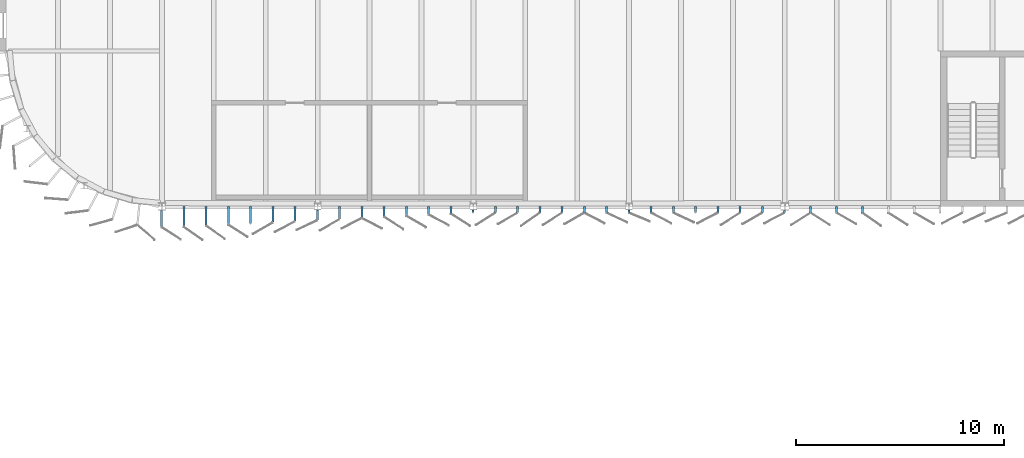
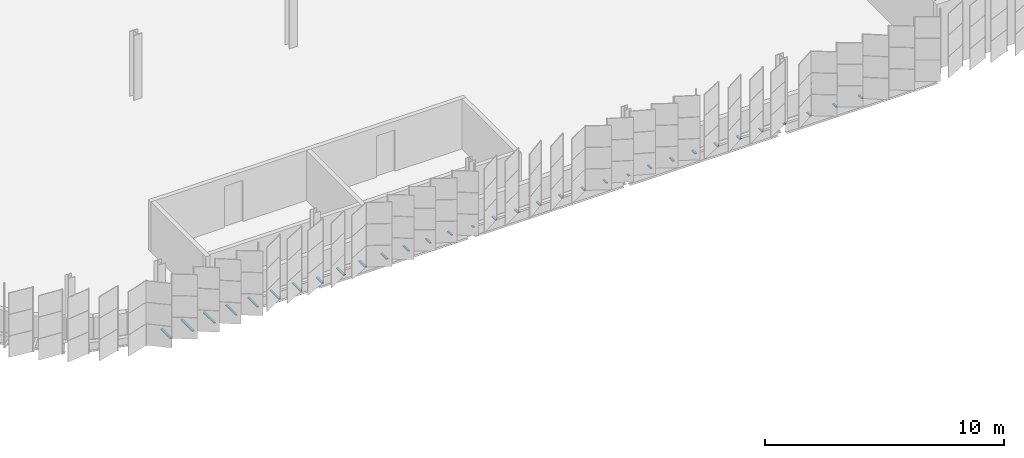
# One storey, part 178 of 214: 32 discrete accessories.
"""IFC4 building model written with IfcOpenShell, lengths in metres."""

from ifc_helpers import new_model, si_unit, direction, frame, origin, origin_2d, place, context, subcontext, project, spatial, rectangle, extrude, material, type_object, element, save


model = new_model("IFC4")

# Units and contexts
model_context = context("Model", 3, precision=1e-05, world=origin(), true_north=direction((0.0, 1.0)))
body_context = subcontext(model_context, "Body", "Model", "MODEL_VIEW")
ifc_project = project(units=[si_unit("LENGTHUNIT", "METRE"), si_unit("AREAUNIT", "SQUARE_METRE"), si_unit("VOLUMEUNIT", "CUBIC_METRE"), si_unit("PLANEANGLEUNIT", "RADIAN"), si_unit("MASSUNIT", "GRAM", prefix="KILO")], contexts=[model_context])

# Site, building, storey
site_placement = place(None, origin())
site = spatial("IfcSite", under=ifc_project, at=site_placement, CompositionType="ELEMENT")
building_placement = place(site_placement, origin())
building = spatial("IfcBuilding", under=site, at=building_placement, Name="Parallax Yard Mobility Hub", CompositionType="ELEMENT")
storey_placement = place(building_placement, frame((0.0, 0.0, 3.300048828125)))
storey = spatial("IfcBuildingStorey", under=building, at=storey_placement, Name="L01", CompositionType="ELEMENT", Elevation=3.300048828125)

# Discrete accessories
ifc_material = material(Name="Steel ASTM A36, hot-dip galvanised", Category="steel")
discrete_accessory_type = type_object("IfcDiscreteAccessoryType", Name="Hinge bracket plate 100x50", PredefinedType="BRACKET", material=ifc_material)
discrete_accessory_1_placement = place(storey_placement, frame((29.9853515625, 111.91943359375, -0.02490234375), z_axis=(0.0, 0.0, 1.0), x_axis=(0.0, -1.0, 0.0)))
element("IfcDiscreteAccessory", 1, at=discrete_accessory_1_placement, inside=storey, type_object=discrete_accessory_type, Name="Hinge bracket plate bay 1.1 level L01", PredefinedType="BRACKET", context=body_context, shape_type="SweptSolid", body=[
    extrude(rectangle(XDim=0.80615234375, YDim=0.10009765625, at=origin_2d()), origin(), (0.0, 0.0, 1.0), 0.050048828125),
])
discrete_accessory_2_placement = place(storey_placement, frame((31.056884765625, 112.0166015625, -0.02490234375), z_axis=(0.0, 0.0, 1.0), x_axis=(0.0, -1.0, 0.0)))
element("IfcDiscreteAccessory", 2, at=discrete_accessory_2_placement, inside=storey, type_object=discrete_accessory_type, Name="Hinge bracket plate bay 1.2 level L01", PredefinedType="BRACKET", context=body_context, shape_type="SweptSolid", body=[
    extrude(rectangle(XDim=0.968017578125, YDim=0.10009765625, at=origin_2d()), origin(), (0.0, 0.0, 1.0), 0.050048828125),
])
discrete_accessory_3_placement = place(storey_placement, frame((32.12841796875, 112.043212890625, -0.02490234375), z_axis=(0.0, 0.0, 1.0), x_axis=(0.0, -1.0, 0.0)))
element("IfcDiscreteAccessory", 3, at=discrete_accessory_3_placement, inside=storey, type_object=discrete_accessory_type, Name="Hinge bracket plate bay 1.3 level L01", PredefinedType="BRACKET", context=body_context, shape_type="SweptSolid", body=[
    extrude(rectangle(XDim=0.91455078125, YDim=0.10009765625, at=origin_2d()), origin(), (0.0, 0.0, 1.0), 0.050048828125),
])
discrete_accessory_4_placement = place(storey_placement, frame((33.19970703125, 112.070068359375, -0.02490234375), z_axis=(0.0, 0.0, 1.0), x_axis=(0.0, -1.0, 0.0)))
element("IfcDiscreteAccessory", 4, at=discrete_accessory_4_placement, inside=storey, type_object=discrete_accessory_type, Name="Hinge bracket plate bay 1.4 level L01", PredefinedType="BRACKET", context=body_context, shape_type="SweptSolid", body=[
    extrude(rectangle(XDim=0.86083984375, YDim=0.10009765625, at=origin_2d()), origin(), (0.0, 0.0, 1.0), 0.050048828125),
])
discrete_accessory_5_placement = place(storey_placement, frame((34.271240234375, 112.0966796875, -0.02490234375), z_axis=(0.0, 0.0, 1.0), x_axis=(0.0, -1.0, 0.0)))
element("IfcDiscreteAccessory", 5, at=discrete_accessory_5_placement, inside=storey, type_object=discrete_accessory_type, Name="Hinge bracket plate bay 1.5 level L01", PredefinedType="BRACKET", context=body_context, shape_type="SweptSolid", body=[
    extrude(rectangle(XDim=0.807373046875, YDim=0.10009765625, at=origin_2d()), origin(), (0.0, 0.0, 1.0), 0.050048828125),
])
discrete_accessory_6_placement = place(storey_placement, frame((35.3427734375, 112.12353515625, -0.02490234375), z_axis=(0.0, 0.0, 1.0), x_axis=(0.0, -1.0, 0.0)))
element("IfcDiscreteAccessory", 6, at=discrete_accessory_6_placement, inside=storey, type_object=discrete_accessory_type, Name="Hinge bracket plate bay 1.6 level L01", PredefinedType="BRACKET", context=body_context, shape_type="SweptSolid", body=[
    extrude(rectangle(XDim=0.75390625, YDim=0.10009765625, at=origin_2d()), origin(), (0.0, 0.0, 1.0), 0.050048828125),
])
discrete_accessory_7_placement = place(storey_placement, frame((36.414306640625, 112.150390625, -0.02490234375), z_axis=(0.0, 0.0, 1.0), x_axis=(0.0, -1.0, 0.0)))
element("IfcDiscreteAccessory", 7, at=discrete_accessory_7_placement, inside=storey, type_object=discrete_accessory_type, Name="Hinge bracket plate bay 1.7 level L01", PredefinedType="BRACKET", context=body_context, shape_type="SweptSolid", body=[
    extrude(rectangle(XDim=0.7001953125, YDim=0.10009765625, at=origin_2d()), origin(), (0.0, 0.0, 1.0), 0.050048828125),
])
discrete_accessory_8_placement = place(storey_placement, frame((37.48583984375, 112.09912109375, -0.02490234375), z_axis=(0.0, 0.0, 1.0), x_axis=(0.0, -1.0, 0.0)))
element("IfcDiscreteAccessory", 8, at=discrete_accessory_8_placement, inside=storey, type_object=discrete_accessory_type, Name="Hinge bracket plate bay 2.1 level L01", PredefinedType="BRACKET", context=body_context, shape_type="SweptSolid", body=[
    extrude(rectangle(XDim=0.490478515625, YDim=0.10009765625, at=origin_2d()), origin(), (0.0, 0.0, 1.0), 0.050048828125),
])
discrete_accessory_9_placement = place(storey_placement, frame((38.557373046875, 112.2041015625, -0.02490234375), z_axis=(0.0, 0.0, 1.0), x_axis=(0.0, -1.0, 0.0)))
element("IfcDiscreteAccessory", 9, at=discrete_accessory_9_placement, inside=storey, type_object=discrete_accessory_type, Name="Hinge bracket plate bay 2.2 level L01", PredefinedType="BRACKET", context=body_context, shape_type="SweptSolid", body=[
    extrude(rectangle(XDim=0.593017578125, YDim=0.10009765625, at=origin_2d()), origin(), (0.0, 0.0, 1.0), 0.050048828125),
])
discrete_accessory_10_placement = place(storey_placement, frame((39.62890625, 112.230712890625, -0.02490234375), z_axis=(0.0, 0.0, 1.0), x_axis=(0.0, -1.0, 0.0)))
element("IfcDiscreteAccessory", 10, at=discrete_accessory_10_placement, inside=storey, type_object=discrete_accessory_type, Name="Hinge bracket plate bay 2.3 level L01", PredefinedType="BRACKET", context=body_context, shape_type="SweptSolid", body=[
    extrude(rectangle(XDim=0.53955078125, YDim=0.10009765625, at=origin_2d()), origin(), (0.0, 0.0, 1.0), 0.050048828125),
])
discrete_accessory_11_placement = place(storey_placement, frame((40.7001953125, 112.257568359375, -0.02490234375), z_axis=(0.0, 0.0, 1.0), x_axis=(0.0, -1.0, 0.0)))
element("IfcDiscreteAccessory", 11, at=discrete_accessory_11_placement, inside=storey, type_object=discrete_accessory_type, Name="Hinge bracket plate bay 2.4 level L01", PredefinedType="BRACKET", context=body_context, shape_type="SweptSolid", body=[
    extrude(rectangle(XDim=0.48583984375, YDim=0.10009765625, at=origin_2d()), origin(), (0.0, 0.0, 1.0), 0.050048828125),
])
discrete_accessory_12_placement = place(storey_placement, frame((41.771728515625, 112.2841796875, -0.02490234375), z_axis=(0.0, 0.0, 1.0), x_axis=(0.0, -1.0, 0.0)))
element("IfcDiscreteAccessory", 12, at=discrete_accessory_12_placement, inside=storey, type_object=discrete_accessory_type, Name="Hinge bracket plate bay 2.5 level L01", PredefinedType="BRACKET", context=body_context, shape_type="SweptSolid", body=[
    extrude(rectangle(XDim=0.432373046875, YDim=0.10009765625, at=origin_2d()), origin(), (0.0, 0.0, 1.0), 0.050048828125),
])
discrete_accessory_13_placement = place(storey_placement, frame((42.84326171875, 112.31103515625, -0.02490234375), z_axis=(0.0, 0.0, 1.0), x_axis=(0.0, -1.0, 0.0)))
element("IfcDiscreteAccessory", 13, at=discrete_accessory_13_placement, inside=storey, type_object=discrete_accessory_type, Name="Hinge bracket plate bay 2.6 level L01", PredefinedType="BRACKET", context=body_context, shape_type="SweptSolid", body=[
    extrude(rectangle(XDim=0.37890625, YDim=0.10009765625, at=origin_2d()), origin(), (0.0, 0.0, 1.0), 0.050048828125),
])
discrete_accessory_14_placement = place(storey_placement, frame((43.914794921875, 112.337890625, -0.02490234375), z_axis=(0.0, 0.0, 1.0), x_axis=(0.0, -1.0, 0.0)))
element("IfcDiscreteAccessory", 14, at=discrete_accessory_14_placement, inside=storey, type_object=discrete_accessory_type, Name="Hinge bracket plate bay 2.7 level L01", PredefinedType="BRACKET", context=body_context, shape_type="SweptSolid", body=[
    extrude(rectangle(XDim=0.3251953125, YDim=0.10009765625, at=origin_2d()), origin(), (0.0, 0.0, 1.0), 0.050048828125),
])
discrete_accessory_15_placement = place(storey_placement, frame((44.986328125, 112.280517578125, -0.02490234375), z_axis=(0.0, 0.0, 1.0), x_axis=(0.0, -1.0, 0.0)))
element("IfcDiscreteAccessory", 15, at=discrete_accessory_15_placement, inside=storey, type_object=discrete_accessory_type, Name="Hinge bracket plate bay 3.1 level L01", PredefinedType="BRACKET", context=body_context, shape_type="SweptSolid", body=[
    extrude(rectangle(XDim=0.128173828125, YDim=0.10009765625, at=origin_2d()), origin(), (0.0, 0.0, 1.0), 0.050048828125),
])
for number, where, z_axis, x_axis, name in (
    (16, (46.057861328125, 112.3583984375, -0.02490234375), (0.0, 0.0, 1.0), (0.0, -1.0, 0.0), "Hinge bracket plate bay 3.2 level L01"),
    (17, (47.12939453125, 112.3583984375, -0.02490234375), (0.0, 0.0, 1.0), (0.0, -1.0, 0.0), "Hinge bracket plate bay 3.3 level L01"),
    (18, (48.20068359375, 112.3583984375, -0.02490234375), (0.0, 0.0, 1.0), (0.0, -1.0, 0.0), "Hinge bracket plate bay 3.4 level L01"),
    (19, (49.272216796875, 112.3583984375, -0.02490234375), (0.0, 0.0, 1.0), (0.0, -1.0, 0.0), "Hinge bracket plate bay 3.5 level L01"),
    (20, (50.34375, 112.3583984375, -0.02490234375), (0.0, 0.0, 1.0), (0.0, -1.0, 0.0), "Hinge bracket plate bay 3.6 level L01"),
    (21, (51.415283203125, 112.3583984375, -0.02490234375), (0.0, 0.0, 1.0), (0.0, -1.0, 0.0), "Hinge bracket plate bay 3.7 level L01"),
):
    element("IfcDiscreteAccessory", number, at=place(storey_placement, frame(where, z_axis=z_axis, x_axis=x_axis)), inside=storey, type_object=discrete_accessory_type, Name=name, PredefinedType="BRACKET", context=body_context, shape_type="SweptSolid", body=[
        extrude(rectangle(XDim=0.2841796875, YDim=0.10009765625, at=origin_2d()), origin(), (0.0, 0.0, 1.0), 0.050048828125),
    ])
discrete_accessory_16_placement = place(storey_placement, frame((52.48681640625, 112.280517578125, -0.02490234375), z_axis=(0.0, 0.0, 1.0), x_axis=(0.0, -1.0, 0.0)))
element("IfcDiscreteAccessory", 22, at=discrete_accessory_16_placement, inside=storey, type_object=discrete_accessory_type, Name="Hinge bracket plate bay 4.1 level L01", PredefinedType="BRACKET", context=body_context, shape_type="SweptSolid", body=[
    extrude(rectangle(XDim=0.128173828125, YDim=0.10009765625, at=origin_2d()), origin(), (0.0, 0.0, 1.0), 0.050048828125),
])
for number, where, z_axis, x_axis, name in (
    (23, (53.558349609375, 112.3583984375, -0.02490234375), (0.0, 0.0, 1.0), (0.0, -1.0, 0.0), "Hinge bracket plate bay 4.2 level L01"),
    (24, (54.6298828125, 112.3583984375, -0.02490234375), (0.0, 0.0, 1.0), (0.0, -1.0, 0.0), "Hinge bracket plate bay 4.3 level L01"),
    (25, (55.701416015625, 112.3583984375, -0.02490234375), (0.0, 0.0, 1.0), (0.0, -1.0, 0.0), "Hinge bracket plate bay 4.4 level L01"),
    (26, (56.772705078125, 112.3583984375, -0.02490234375), (0.0, 0.0, 1.0), (0.0, -1.0, 0.0), "Hinge bracket plate bay 4.5 level L01"),
    (27, (57.84423828125, 112.3583984375, -0.02490234375), (0.0, 0.0, 1.0), (0.0, -1.0, 0.0), "Hinge bracket plate bay 4.6 level L01"),
    (28, (58.915771484375, 112.3583984375, -0.02490234375), (0.0, 0.0, 1.0), (0.0, -1.0, 0.0), "Hinge bracket plate bay 4.7 level L01"),
):
    element("IfcDiscreteAccessory", number, at=place(storey_placement, frame(where, z_axis=z_axis, x_axis=x_axis)), inside=storey, type_object=discrete_accessory_type, Name=name, PredefinedType="BRACKET", context=body_context, shape_type="SweptSolid", body=[
        extrude(rectangle(XDim=0.2841796875, YDim=0.10009765625, at=origin_2d()), origin(), (0.0, 0.0, 1.0), 0.050048828125),
    ])
discrete_accessory_17_placement = place(storey_placement, frame((59.9873046875, 112.26513671875, -0.02490234375), z_axis=(0.0, 0.0, 1.0), x_axis=(0.0, -1.0, 0.0)))
element("IfcDiscreteAccessory", 29, at=discrete_accessory_17_placement, inside=storey, type_object=discrete_accessory_type, Name="Hinge bracket plate bay 5.1 level L01", PredefinedType="BRACKET", context=body_context, shape_type="SweptSolid", body=[
    extrude(rectangle(XDim=0.09765625, YDim=0.10009765625, at=origin_2d()), origin(), (0.0, 0.0, 1.0), 0.050048828125),
])
for number, where, z_axis, x_axis, name in (
    (30, (61.236572265625, 112.3583984375, -0.02490234375), (0.0, 0.0, 1.0), (0.0, -1.0, 0.0), "Hinge bracket plate bay 5.2 level L01"),
    (31, (62.48583984375, 112.3583984375, -0.02490234375), (0.0, 0.0, 1.0), (0.0, -1.0, 0.0), "Hinge bracket plate bay 5.3 level L01"),
    (32, (63.735107421875, 112.3583984375, -0.02490234375), (0.0, 0.0, 1.0), (0.0, -1.0, 0.0), "Hinge bracket plate bay 5.4 level L01"),
):
    element("IfcDiscreteAccessory", number, at=place(storey_placement, frame(where, z_axis=z_axis, x_axis=x_axis)), inside=storey, type_object=discrete_accessory_type, Name=name, PredefinedType="BRACKET", context=body_context, shape_type="SweptSolid", body=[
        extrude(rectangle(XDim=0.2841796875, YDim=0.10009765625, at=origin_2d()), origin(), (0.0, 0.0, 1.0), 0.050048828125),
    ])

save(model, "model.ifc")
